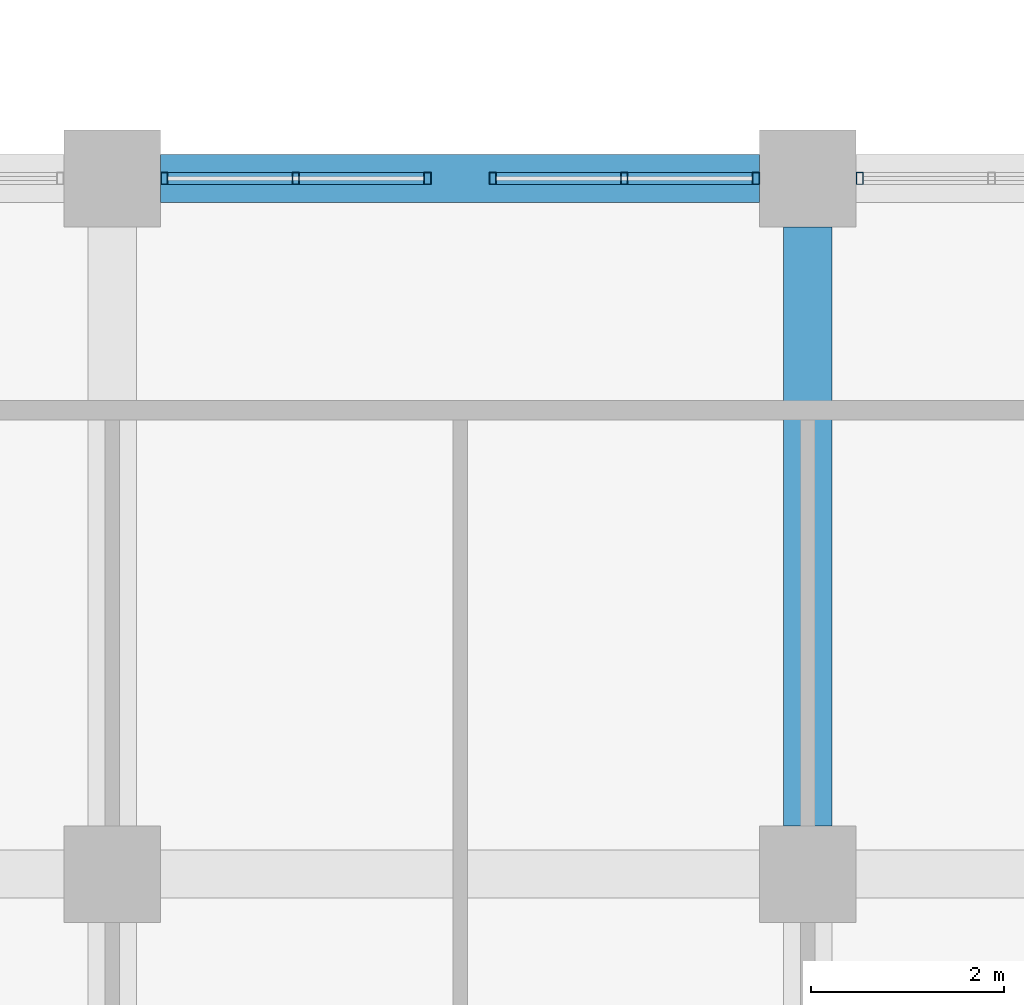
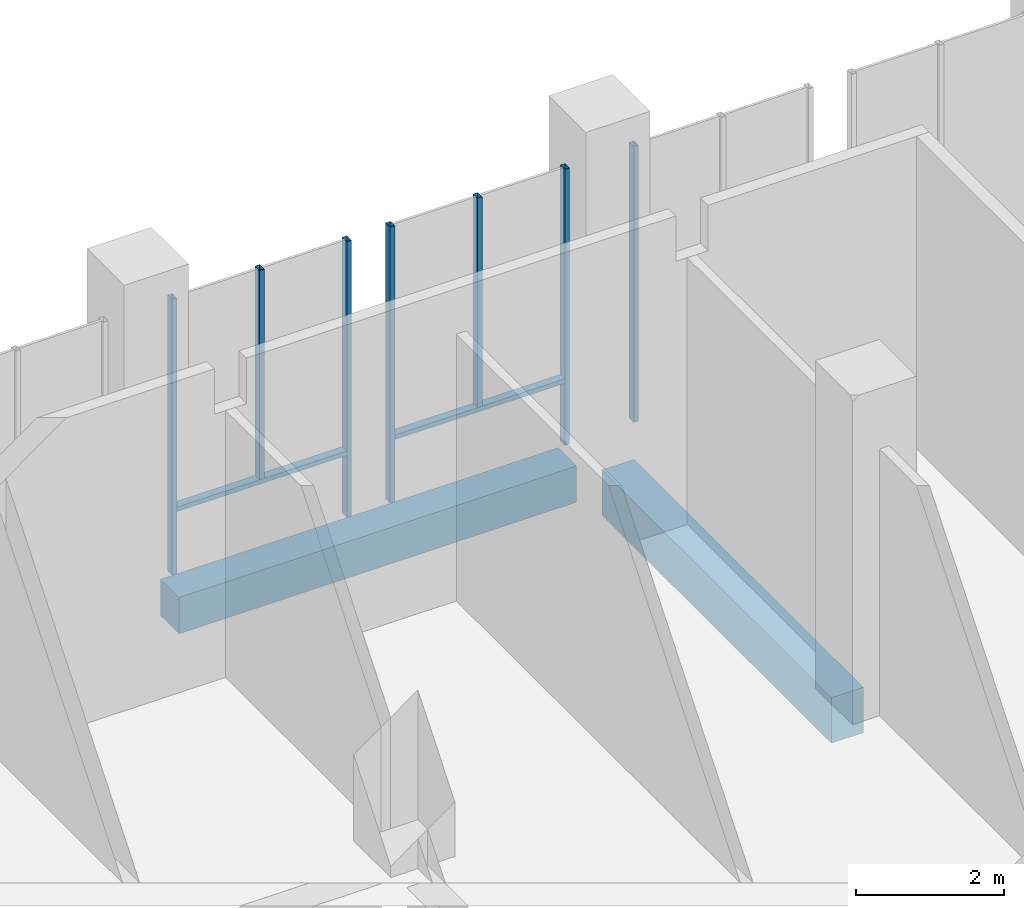
# One storey, part 5 of 83: 9 members, 2 beams, 3 elements without a shape of their own.
"""IFC4 building model written with IfcOpenShell, lengths in metres."""

import ifcopenshell
import ifcopenshell.guid

model = None  # the IFC model being written
_history = None  # IfcOwnerHistory: only IFC2X3 demands one
_inside = {}  # id of a spatial element -> (the spatial element, [elements in it])
_under = {}  # id of a project, library or spatial element -> (it, [spatial elements below it])
_declared = {}  # id of a project -> (the project, [libraries it declares])
_typed = {}  # id of a type object -> (the type object, [elements of that type])
_made_of = {}  # id of a material, layer set ... -> (it, [elements and type objects made of it])


def new_model(schema):
    """Start an empty IFC model of exactly this schema.

    Asked for "IFC4X3", IfcOpenShell would pick the latest addendum, in which some entities
    have other attributes; the version numbers below select the first issue.
    IFC2X3 requires an IfcOwnerHistory on every rooted entity: one is made here for all.
    """
    global model, _history
    if schema == "IFC4X3":
        model = ifcopenshell.file(schema_version=(4, 3, 0, 0))
    else:
        model = ifcopenshell.file(schema=schema)
    _inside.clear()
    _under.clear()
    _declared.clear()
    _typed.clear()
    _made_of.clear()
    _history = None
    if model.schema == "IFC2X3":
        org = make("IfcOrganization", Name="unknown")
        user = make(
            "IfcPersonAndOrganization",
            ThePerson=make("IfcPerson", FamilyName="unknown"),
            TheOrganization=org,
        )
        app = make(
            "IfcApplication",
            ApplicationDeveloper=org,
            Version="unknown",
            ApplicationFullName="unknown",
            ApplicationIdentifier="unknown",
        )
        _history = make(
            "IfcOwnerHistory",
            OwningUser=user,
            OwningApplication=app,
            ChangeAction="ADDED",
            CreationDate=0,
        )
    return model


def make(cls, **values):
    """One entity of the class cls with the attributes given. An attribute that is None is left unset."""
    return model.create_entity(
        cls, **{name: value for name, value in values.items() if value is not None}
    )


def rooted(cls, **values):
    """An entity with a GlobalId (a new one), such as an element, a storey or a relation."""
    return make(cls, GlobalId=ifcopenshell.guid.new(), OwnerHistory=_history, **values)


def si_unit(unit_type, name, prefix=None):
    """IfcSIUnit, for example si_unit("LENGTHUNIT", "METRE", prefix="MILLI")."""
    return make("IfcSIUnit", UnitType=unit_type, Prefix=prefix, Name=name)


def assignment(units):
    """IfcUnitAssignment: the units of a project."""
    return None if units is None else make("IfcUnitAssignment", Units=units)


def point(xyz):
    """IfcCartesianPoint."""
    return None if xyz is None else make("IfcCartesianPoint", Coordinates=xyz)


def direction(xyz):
    """IfcDirection."""
    return None if xyz is None else make("IfcDirection", DirectionRatios=xyz)


def frame(location, z_axis=None, x_axis=None):
    """IfcAxis2Placement3D, a coordinate frame: its origin and axes. An axis left out is left unset."""
    return make(
        "IfcAxis2Placement3D",
        Location=point(location),
        Axis=direction(z_axis),
        RefDirection=direction(x_axis),
    )


def frame_2d(location, x_axis=None):
    """IfcAxis2Placement2D, a coordinate frame in the plane: its origin and x axis."""
    return make(
        "IfcAxis2Placement2D", Location=point(location), RefDirection=direction(x_axis)
    )


def origin():
    """The frame at (0, 0, 0) with its axes left unset."""
    return frame((0.0, 0.0, 0.0))


def origin_2d():
    """The frame at (0, 0) in the plane with its x axis left unset."""
    return frame_2d((0.0, 0.0))


def place(relative_to, where):
    """IfcLocalPlacement: puts the frame where relative to a parent placement (None: the world)."""
    return make(
        "IfcLocalPlacement", PlacementRelTo=relative_to, RelativePlacement=where
    )


def context(
    kind, dimensions, precision=None, world=None, true_north=None, identifier=None
):
    """IfcGeometricRepresentationContext, for example the 3D "Model" context."""
    return make(
        "IfcGeometricRepresentationContext",
        ContextIdentifier=identifier,
        ContextType=kind,
        CoordinateSpaceDimension=dimensions,
        Precision=precision,
        WorldCoordinateSystem=world,
        TrueNorth=true_north,
    )


def subcontext(parent, identifier, kind, view, scale=None):
    """IfcGeometricRepresentationSubContext, for example "Body" below "Model"."""
    return make(
        "IfcGeometricRepresentationSubContext",
        ContextIdentifier=identifier,
        ContextType=kind,
        ParentContext=parent,
        TargetScale=scale,
        TargetView=view,
    )


def project(units=None, contexts=None):
    """IfcProject with its units and contexts."""
    return rooted(
        "IfcProject",
        Name="project",
        RepresentationContexts=contexts,
        UnitsInContext=assignment(units),
    )


def spatial(cls, under=None, at=None, **own):
    """A site, building, storey or space (cls), placed at a placement, below another one or the project."""
    s = rooted(cls, ObjectPlacement=at, **own)
    if under is not None:
        _under.setdefault(under.id(), (under, []))[1].append(s)
    return s


def profile(cls, at=None, kind="AREA", **sizes):
    """A parametric profile (cls). Its sizes go by their IFC names, for example OverallWidth=200.0."""
    return make(cls, ProfileType=kind, Position=at, **sizes)


def rectangle(**sizes):
    """IfcRectangleProfileDef."""
    return profile("IfcRectangleProfileDef", **sizes)


def hollow_rectangle(**sizes):
    """IfcRectangleHollowProfileDef."""
    return profile("IfcRectangleHollowProfileDef", **sizes)


def extrude(swept, where, along, depth):
    """IfcExtrudedAreaSolid: the profile swept, set in the frame where, extruded along a direction by depth."""
    return make(
        "IfcExtrudedAreaSolid",
        SweptArea=swept,
        Position=where,
        ExtrudedDirection=direction(along),
        Depth=depth,
    )


def shape(context_of_items, identifier, shape_type, items):
    """IfcShapeRepresentation: the items that make up one representation, for example the "Body"."""
    return make(
        "IfcShapeRepresentation",
        ContextOfItems=context_of_items,
        RepresentationIdentifier=identifier,
        RepresentationType=shape_type,
        Items=items,
    )


def material(Name=None, Category=None):
    """IfcMaterial."""
    return make("IfcMaterial", Name=Name, Category=Category)


def material_profile(
    of_material, cross_section, Name=None, Category=None, Priority=None
):
    """IfcMaterialProfile: a cross section and its material."""
    return make(
        "IfcMaterialProfile",
        Name=Name,
        Material=of_material,
        Profile=cross_section,
        Priority=Priority,
        Category=Category,
    )


def profile_set(profiles, Name=None, composite=None):
    """IfcMaterialProfileSet."""
    return make(
        "IfcMaterialProfileSet",
        Name=Name,
        MaterialProfiles=profiles,
        CompositeProfile=composite,
    )


def made_of(thing, what):
    """Note that an element or type object is made of a material, layer set ...; save() writes the relation."""
    if what is not None:
        _made_of.setdefault(what.id(), (what, []))[1].append(thing)
    return thing


def type_object(cls, material=None, **own):
    """A type object (cls), such as IfcWallType, which elements share."""
    return made_of(rooted(cls, **own), material)


def element(
    cls,
    number,
    at=None,
    inside=None,
    cuts=None,
    type_object=None,
    material=None,
    context=None,
    identifier="Body",
    shape_type=None,
    held_by="IfcProductDefinitionShape",
    body=None,
    shapes=None,
    **own,
):
    """One element of the class cls, such as IfcWall. Its Tag is "e" and its number.

    at: its placement. inside: the storey or other place that contains it. cuts: it is an
    opening in that element (IfcRelVoidsElement). A single representation is given by context,
    identifier, shape_type and body (its items); several are given by shapes. held_by: the class
    of the entity that holds the representations. save() writes the other relations.
    """
    e = rooted(cls, Tag="e%d" % number, ObjectPlacement=at, **own)
    if body is not None:
        shapes = [shape(context, identifier, shape_type, body)]
    if shapes is not None:
        e.Representation = make(held_by, Representations=shapes)
    if inside is not None:
        _inside.setdefault(inside.id(), (inside, []))[1].append(e)
    if cuts is not None:
        rooted(
            "IfcRelVoidsElement", RelatingBuildingElement=cuts, RelatedOpeningElement=e
        )
    if type_object is not None:
        _typed.setdefault(type_object.id(), (type_object, []))[1].append(e)
    return made_of(e, material)


def aggregate(whole, parts):
    """IfcRelAggregates: a whole, such as a stair, and the parts it consists of."""
    return rooted("IfcRelAggregates", RelatingObject=whole, RelatedObjects=parts)


def save(model, path):
    """Write the relations noted so far, then the file.

    IfcRelAggregates (storeys below a building ...), IfcRelContainedInSpatialStructure (elements
    in a storey), IfcRelDefinesByType, IfcRelAssociatesMaterial and IfcRelDeclares: one each for
    every whole, place, type object, material and project.
    """
    for whole, parts in _under.values():
        aggregate(whole, parts)
    for where, things in _inside.values():
        rooted(
            "IfcRelContainedInSpatialStructure",
            RelatedElements=things,
            RelatingStructure=where,
        )
    for kind, things in _typed.values():
        rooted("IfcRelDefinesByType", RelatedObjects=things, RelatingType=kind)
    for what, things in _made_of.values():
        rooted("IfcRelAssociatesMaterial", RelatedObjects=things, RelatingMaterial=what)
    for by, libraries in _declared.values():
        rooted("IfcRelDeclares", RelatingContext=by, RelatedDefinitions=libraries)
    model.write(path)


model = new_model("IFC4")

# Units and contexts
model_context = context("Model", 3, precision=1e-05, world=origin(), true_north=direction((0.0, 1.0)))
body_context = subcontext(model_context, "Body", "Model", "MODEL_VIEW")
ifc_project = project(units=[si_unit("LENGTHUNIT", "METRE"), si_unit("AREAUNIT", "SQUARE_METRE"), si_unit("VOLUMEUNIT", "CUBIC_METRE"), si_unit("PLANEANGLEUNIT", "RADIAN"), si_unit("MASSUNIT", "GRAM", prefix="KILO")], contexts=[model_context])

# Site, building, storey
site_placement = place(None, origin())
site = spatial("IfcSite", under=ifc_project, at=site_placement, CompositionType="ELEMENT")
building_placement = place(site_placement, origin())
building = spatial("IfcBuilding", under=site, at=building_placement, Name="Silangan Lancet Faculty of Sciences", CompositionType="ELEMENT")
storey_placement = place(building_placement, frame((0.0, 0.0, 11.39990234375)))
storey = spatial("IfcBuildingStorey", under=building, at=storey_placement, Name="L02", CompositionType="ELEMENT", Elevation=11.39990234375)

# Beams
ifc_material_1 = material(Name="Concrete C40/50", Category="concrete")
ifc_material_profile_1 = material_profile(ifc_material_1, rectangle(XDim=0.5, YDim=0.60009765625, at=origin_2d()), Name="RC 500x600")
ifc_profile_set_1 = profile_set([ifc_material_profile_1], Name="Concrete C40/50")
beam_type_1 = type_object("IfcBeamType", Name="BEAM RC 500x600", PredefinedType="BEAM", material=ifc_profile_set_1)
beam_1_placement = place(storey_placement, frame((7.699951171875, 21.60009765625, -0.5498046875), z_axis=(1.0, 0.0, 0.0), x_axis=(0.0, 1.0, 0.0)))
element("IfcBeam", 1, at=beam_1_placement, inside=storey, type_object=beam_type_1, Name="BM-L02-2D-3D", PredefinedType="BEAM", context=body_context, shape_type="SweptSolid", body=[
    extrude(rectangle(XDim=0.5, YDim=0.60009765625, at=origin_2d()), origin(), (0.0, 0.0, 1.0), 6.199951171875),
])
ifc_material_2 = material(Name="Concrete C40/50", Category="concrete")
ifc_material_profile_2 = material_profile(ifc_material_2, rectangle(XDim=0.5, YDim=0.75, at=origin_2d()), Name="RC 500x750")
ifc_profile_set_2 = profile_set([ifc_material_profile_2], Name="Concrete C40/50")
beam_type_2 = type_object("IfcBeamType", Name="BEAM RC 500x750", PredefinedType="BEAM", material=ifc_profile_set_2)
beam_2_placement = place(storey_placement, frame((14.39990234375, 14.89990234375, -0.625), z_axis=(0.0, 1.0, 0.0), x_axis=(-1.0, 0.0, 0.0)))
element("IfcBeam", 2, at=beam_2_placement, inside=storey, type_object=beam_type_2, Name="BM-L02-3C-3D", PredefinedType="BEAM", context=body_context, shape_type="SweptSolid", body=[
    extrude(rectangle(XDim=0.5, YDim=0.75, at=origin_2d()), origin(), (0.0, 0.0, 1.0), 6.2001953125),
])

# Curtain wall, member
ifc_material_3 = material(Name="Aluminium framed curtain wall with insulated glass", Category="aluminium")
curtain_wall_type = type_object("IfcCurtainWallType", Name="CW2 Atrium fire-resisting screen", PredefinedType="NOTDEFINED", material=ifc_material_3)
curtain_wall_1_placement = place(storey_placement, origin())
curtain_wall_1 = element("IfcCurtainWall", 3, at=curtain_wall_1_placement, inside=storey, type_object=curtain_wall_type, Name="CW2 Atrium south L02 bay 2", PredefinedType="NOTDEFINED")
ifc_material_4 = material(Name="Steel S355J2H", Category="steel")
ifc_material_profile_3 = material_profile(ifc_material_4, hollow_rectangle(XDim=0.074951171875, YDim=0.125, WallThickness=0.0048828125, at=origin_2d()), Name="ST BOX 75x125x5")
ifc_profile_set_3 = profile_set([ifc_material_profile_3], Name="Steel S355J2H")
member_type_1 = type_object("IfcMemberType", Name="CM2 Mullion 75x125", PredefinedType="MULLION", material=ifc_profile_set_3)
member_1_placement = place(storey_placement, frame((14.9375, 21.60009765625, 0.0), z_axis=(0.0, 0.0, 1.0), x_axis=(-1.0, 0.0, 0.0)))
member_1 = element("IfcMember", 4, at=member_1_placement, type_object=member_type_1, Name="CW2 Atrium south L02 bay 2 mullion 2", PredefinedType="MULLION", context=body_context, shape_type="SweptSolid", body=[
    extrude(hollow_rectangle(XDim=0.074951171875, YDim=0.125, WallThickness=0.0048828125, at=origin_2d()), origin(), (0.0, 0.0, 1.0), 4.550048828125),
])
aggregate(curtain_wall_1, [member_1])

# Curtain wall, members
curtain_wall_2_placement = place(storey_placement, origin())
curtain_wall_2 = element("IfcCurtainWall", 5, at=curtain_wall_2_placement, inside=storey, type_object=curtain_wall_type, Name="CW2 Atrium south L02 bay 3", PredefinedType="NOTDEFINED")
member_2_placement = place(storey_placement, frame((13.862548828125, 21.60009765625, 0.0), z_axis=(0.0, 0.0, 1.0), x_axis=(-1.0, 0.0, 0.0)))
member_2 = element("IfcMember", 6, at=member_2_placement, type_object=member_type_1, Name="CW2 Atrium south L02 bay 3 mullion 1", PredefinedType="MULLION", context=body_context, shape_type="SweptSolid", body=[
    extrude(hollow_rectangle(XDim=0.074951171875, YDim=0.125, WallThickness=0.0048828125, at=origin_2d()), origin(), (0.0, 0.0, 1.0), 4.550048828125),
])
member_3_placement = place(storey_placement, frame((11.137451171875, 21.60009765625, 0.0), z_axis=(0.0, 0.0, 1.0), x_axis=(-1.0, 0.0, 0.0)))
member_3 = element("IfcMember", 7, at=member_3_placement, type_object=member_type_1, Name="CW2 Atrium south L02 bay 3 mullion 2", PredefinedType="MULLION", context=body_context, shape_type="SweptSolid", body=[
    extrude(hollow_rectangle(XDim=0.074951171875, YDim=0.125, WallThickness=0.0048828125, at=origin_2d()), origin(), (0.0, 0.0, 1.0), 4.550048828125),
])
member_4_placement = place(storey_placement, frame((12.5, 21.60009765625, 1.10009765625), z_axis=(0.0, 0.0, 1.0), x_axis=(-1.0, 0.0, 0.0)))
member_4 = element("IfcMember", 8, at=member_4_placement, type_object=member_type_1, Name="CW2 Atrium south L02 bay 3 mullion 3", PredefinedType="MULLION", context=body_context, shape_type="SweptSolid", body=[
    extrude(hollow_rectangle(XDim=0.074951171875, YDim=0.125, WallThickness=0.0048828125, at=origin_2d()), origin(), (0.0, 0.0, 1.0), 3.449951171875),
])

curtain_wall_3_placement = place(storey_placement, origin())
curtain_wall_3 = element("IfcCurtainWall", 9, at=curtain_wall_3_placement, inside=storey, type_object=curtain_wall_type, Name="CW2 Atrium south L02 bay 4", PredefinedType="NOTDEFINED")
member_5_placement = place(storey_placement, frame((10.46240234375, 21.60009765625, 0.0), z_axis=(0.0, 0.0, 1.0), x_axis=(-1.0, 0.0, 0.0)))
member_5 = element("IfcMember", 10, at=member_5_placement, type_object=member_type_1, Name="CW2 Atrium south L02 bay 4 mullion 1", PredefinedType="MULLION", context=body_context, shape_type="SweptSolid", body=[
    extrude(hollow_rectangle(XDim=0.074951171875, YDim=0.125, WallThickness=0.0048828125, at=origin_2d()), origin(), (0.0, 0.0, 1.0), 4.550048828125),
])
member_6_placement = place(storey_placement, frame((7.737548828125, 21.60009765625, 0.0), z_axis=(0.0, 0.0, 1.0), x_axis=(-1.0, 0.0, 0.0)))
member_6 = element("IfcMember", 11, at=member_6_placement, type_object=member_type_1, Name="CW2 Atrium south L02 bay 4 mullion 2", PredefinedType="MULLION", context=body_context, shape_type="SweptSolid", body=[
    extrude(hollow_rectangle(XDim=0.074951171875, YDim=0.125, WallThickness=0.0048828125, at=origin_2d()), origin(), (0.0, 0.0, 1.0), 4.550048828125),
])
member_7_placement = place(storey_placement, frame((9.10009765625, 21.60009765625, 1.10009765625), z_axis=(0.0, 0.0, 1.0), x_axis=(-1.0, 0.0, 0.0)))
member_7 = element("IfcMember", 12, at=member_7_placement, type_object=member_type_1, Name="CW2 Atrium south L02 bay 4 mullion 3", PredefinedType="MULLION", context=body_context, shape_type="SweptSolid", body=[
    extrude(hollow_rectangle(XDim=0.074951171875, YDim=0.125, WallThickness=0.0048828125, at=origin_2d()), origin(), (0.0, 0.0, 1.0), 3.449951171875),
])

# Member
ifc_material_5 = material(Name="Steel S355J2H", Category="steel")
ifc_material_profile_4 = material_profile(ifc_material_5, hollow_rectangle(XDim=0.125, YDim=0.074951171875, WallThickness=0.0048828125, at=origin_2d()), Name="ST BOX 125x75x5")
ifc_profile_set_4 = profile_set([ifc_material_profile_4], Name="Steel S355J2H")
member_type_2 = type_object("IfcMemberType", Name="CT2 Transom 125x75", PredefinedType="USERDEFINED", material=ifc_profile_set_4)
member_8_placement = place(storey_placement, frame((13.824951171875, 21.60009765625, 1.0625), z_axis=(-1.0, 0.0, 0.0), x_axis=(0.0, -1.0, 0.0)))
member_8 = element("IfcMember", 13, at=member_8_placement, type_object=member_type_2, Name="CW2 Atrium south L02 bay 3 transom 1", ObjectType="TRANSOM", PredefinedType="USERDEFINED", context=body_context, shape_type="SweptSolid", body=[
    extrude(hollow_rectangle(XDim=0.125, YDim=0.074951171875, WallThickness=0.0048828125, at=origin_2d()), origin(), (0.0, 0.0, 1.0), 2.64990234375),
])

aggregate(curtain_wall_2, [member_2, member_3, member_4, member_8])

member_9_placement = place(storey_placement, frame((10.425048828125, 21.60009765625, 1.0625), z_axis=(-1.0, 0.0, 0.0), x_axis=(0.0, -1.0, 0.0)))
member_9 = element("IfcMember", 14, at=member_9_placement, type_object=member_type_2, Name="CW2 Atrium south L02 bay 4 transom 1", ObjectType="TRANSOM", PredefinedType="USERDEFINED", context=body_context, shape_type="SweptSolid", body=[
    extrude(hollow_rectangle(XDim=0.125, YDim=0.074951171875, WallThickness=0.0048828125, at=origin_2d()), origin(), (0.0, 0.0, 1.0), 2.650146484375),
])

aggregate(curtain_wall_3, [member_5, member_6, member_7, member_9])

save(model, "model.ifc")
